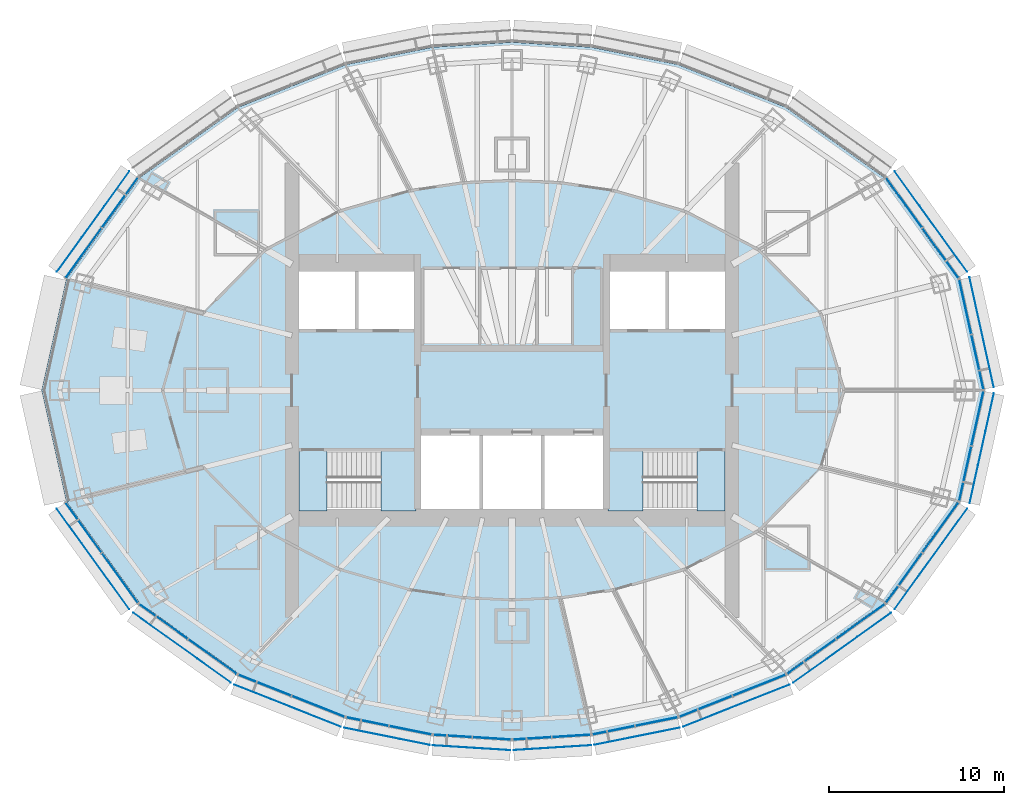
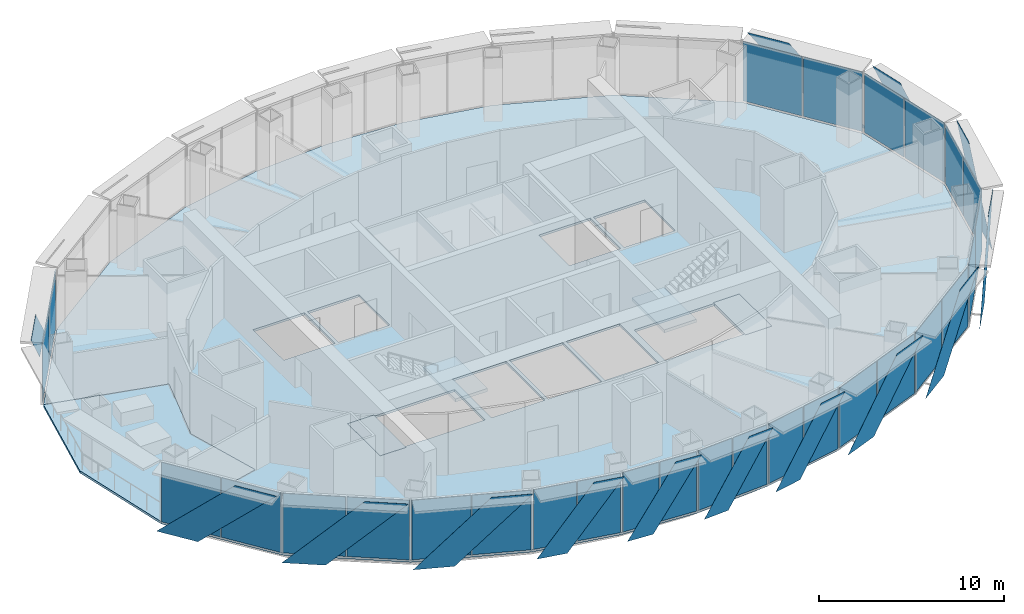
# One storey, part 10 of 16: 42 plates, 6 slabs, 16 elements without a shape of their own.
"""IFC4 building model written with IfcOpenShell, lengths in metres."""

from ifc_helpers import new_model, si_unit, direction, frame, origin, origin_2d, place, context, subcontext, project, spatial, polyline, rectangle, outline, extrude, material, layer, layer_set, type_object, element, aggregate, save


model = new_model("IFC4")

# Units and contexts
model_context = context("Model", 3, precision=1e-05, world=origin(), true_north=direction((0.0, 1.0)))
body_context = subcontext(model_context, "Body", "Model", "MODEL_VIEW")
ifc_project = project(units=[si_unit("LENGTHUNIT", "METRE"), si_unit("AREAUNIT", "SQUARE_METRE"), si_unit("VOLUMEUNIT", "CUBIC_METRE"), si_unit("PLANEANGLEUNIT", "RADIAN"), si_unit("MASSUNIT", "GRAM", prefix="KILO")], contexts=[model_context])

# Site, building, storey
site_placement = place(None, origin())
site = spatial("IfcSite", under=ifc_project, at=site_placement, CompositionType="ELEMENT")
building_placement = place(site_placement, origin())
building = spatial("IfcBuilding", under=site, at=building_placement, Name="Lantaw Convention Tower", CompositionType="ELEMENT")
storey_placement = place(building_placement, frame((0.0, 0.0, 232.60009765625)))
storey = spatial("IfcBuildingStorey", under=building, at=storey_placement, Name="L54", CompositionType="ELEMENT", Elevation=232.60009765625)

# Curtain wall, plates
ifc_material_1 = material(Name="Aluminium framed curtain wall", Category="aluminium")
curtain_wall_type = type_object("IfcCurtainWallType", Name="Office curtain wall high rise, pale aluminium", PredefinedType="USERDEFINED", material=ifc_material_1)
curtain_wall_1_placement = place(storey_placement, origin())
curtain_wall_1 = element("IfcCurtainWall", 1, at=curtain_wall_1_placement, inside=storey, type_object=curtain_wall_type, Name="Office curtain wall high rise, pale aluminium L54", ObjectType="UNITISED CURTAIN WALL", PredefinedType="USERDEFINED")
ifc_material_2 = material(Name="Clear insulating glass", Category="glass")
ifc_layer_1 = layer(ifc_material_2, 0.028076171875)
ifc_layer_set_1 = layer_set([ifc_layer_1], Name="CW-O2 panel 28")
plate_type_1 = type_object("IfcPlateType", Name="CW-O2 panel 28", PredefinedType="CURTAIN_PANEL", material=ifc_layer_set_1)
plate_1_placement = place(storey_placement, frame((26.643798828125, 1.61083984375, 0.06494140625), z_axis=(0.0, 0.0, 1.0), x_axis=(-0.215891333626, 0.976417396437, 0.0)))
plate_1 = element("IfcPlate", 2, at=plate_1_placement, type_object=plate_type_1, Name="CW-O2 panel 1.1", PredefinedType="CURTAIN_PANEL", context=body_context, shape_type="SweptSolid", body=[
    extrude(rectangle(XDim=3.169677734375, YDim=0.028076171875, at=origin_2d()), origin(), (0.0, 0.0, 1.0), 3.919921875),
])
plate_2_placement = place(storey_placement, frame((25.945556640625, 4.769287109375, 0.06494140625), z_axis=(0.0, 0.0, 1.0), x_axis=(-0.215891333626, 0.976417396437, 0.0)))
plate_2 = element("IfcPlate", 3, at=plate_2_placement, type_object=plate_type_1, Name="CW-O2 panel 2.1", PredefinedType="CURTAIN_PANEL", context=body_context, shape_type="SweptSolid", body=[
    extrude(rectangle(XDim=3.169677734375, YDim=0.028076171875, at=origin_2d()), origin(), (0.0, 0.0, 1.0), 3.919921875),
])
aggregate(curtain_wall_1, [plate_1, plate_2])

curtain_wall_2_placement = place(storey_placement, origin())
curtain_wall_2 = element("IfcCurtainWall", 4, at=curtain_wall_2_placement, inside=storey, type_object=curtain_wall_type, Name="Office curtain wall high rise, pale aluminium L54", ObjectType="UNITISED CURTAIN WALL", PredefinedType="USERDEFINED")
plate_3_placement = place(storey_placement, frame((24.527099609375, 7.852294921875, 0.06494140625), z_axis=(0.0, 0.0, 1.0), x_axis=(-0.585157643865, 0.810919559405, 0.0)))
plate_3 = element("IfcPlate", 5, at=plate_3_placement, type_object=plate_type_1, Name="CW-O2 panel 1.1", PredefinedType="CURTAIN_PANEL", context=body_context, shape_type="SweptSolid", body=[
    extrude(rectangle(XDim=3.500732421875, YDim=0.028076171875, at=origin_2d()), origin(), (0.0, 0.0, 1.0), 3.919921875),
])
plate_4_placement = place(storey_placement, frame((22.4404296875, 10.743896484375, 0.06494140625), z_axis=(0.0, 0.0, 1.0), x_axis=(-0.585157643865, 0.810919559405, 0.0)))
plate_4 = element("IfcPlate", 6, at=plate_4_placement, type_object=plate_type_1, Name="CW-O2 panel 2.1", PredefinedType="CURTAIN_PANEL", context=body_context, shape_type="SweptSolid", body=[
    extrude(rectangle(XDim=3.500732421875, YDim=0.028076171875, at=origin_2d()), origin(), (0.0, 0.0, 1.0), 3.919921875),
])
aggregate(curtain_wall_2, [plate_3, plate_4])

curtain_wall_3_placement = place(storey_placement, origin())
curtain_wall_3 = element("IfcCurtainWall", 7, at=curtain_wall_3_placement, inside=storey, type_object=curtain_wall_type, Name="Office curtain wall high rise, pale aluminium L54", ObjectType="UNITISED CURTAIN WALL", PredefinedType="USERDEFINED")
plate_5_placement = place(storey_placement, frame((-22.4404296875, 10.743896484375, 0.06494140625), z_axis=(0.0, 0.0, 1.0), x_axis=(-0.585157643865, -0.810919559405, 0.0)))
plate_5 = element("IfcPlate", 8, at=plate_5_placement, type_object=plate_type_1, Name="CW-O2 panel 1.1", PredefinedType="CURTAIN_PANEL", context=body_context, shape_type="SweptSolid", body=[
    extrude(rectangle(XDim=3.500732421875, YDim=0.028076171875, at=origin_2d()), origin(), (0.0, 0.0, 1.0), 3.919921875),
])
plate_6_placement = place(storey_placement, frame((-24.527099609375, 7.852294921875, 0.06494140625), z_axis=(0.0, 0.0, 1.0), x_axis=(-0.585157643865, -0.810919559405, 0.0)))
plate_6 = element("IfcPlate", 9, at=plate_6_placement, type_object=plate_type_1, Name="CW-O2 panel 2.1", PredefinedType="CURTAIN_PANEL", context=body_context, shape_type="SweptSolid", body=[
    extrude(rectangle(XDim=3.500732421875, YDim=0.028076171875, at=origin_2d()), origin(), (0.0, 0.0, 1.0), 3.919921875),
])
aggregate(curtain_wall_3, [plate_5, plate_6])

curtain_wall_4_placement = place(storey_placement, origin())
curtain_wall_4 = element("IfcCurtainWall", 10, at=curtain_wall_4_placement, inside=storey, type_object=curtain_wall_type, Name="Office curtain wall high rise, pale aluminium L54", ObjectType="UNITISED CURTAIN WALL", PredefinedType="USERDEFINED")
plate_7_placement = place(storey_placement, frame((-24.527099609375, -7.852294921875, 0.06494140625), z_axis=(0.0, 0.0, 1.0), x_axis=(0.585157643865, -0.810919559405, 0.0)))
plate_7 = element("IfcPlate", 11, at=plate_7_placement, type_object=plate_type_1, Name="CW-O2 panel 1.1", PredefinedType="CURTAIN_PANEL", context=body_context, shape_type="SweptSolid", body=[
    extrude(rectangle(XDim=3.500732421875, YDim=0.028076171875, at=origin_2d()), origin(), (0.0, 0.0, 1.0), 3.919921875),
])
plate_8_placement = place(storey_placement, frame((-22.4404296875, -10.743896484375, 0.06494140625), z_axis=(0.0, 0.0, 1.0), x_axis=(0.585157643865, -0.810919559405, 0.0)))
plate_8 = element("IfcPlate", 12, at=plate_8_placement, type_object=plate_type_1, Name="CW-O2 panel 2.1", PredefinedType="CURTAIN_PANEL", context=body_context, shape_type="SweptSolid", body=[
    extrude(rectangle(XDim=3.500732421875, YDim=0.028076171875, at=origin_2d()), origin(), (0.0, 0.0, 1.0), 3.919921875),
])
aggregate(curtain_wall_4, [plate_7, plate_8])

curtain_wall_5_placement = place(storey_placement, origin())
curtain_wall_5 = element("IfcCurtainWall", 13, at=curtain_wall_5_placement, inside=storey, type_object=curtain_wall_type, Name="Office curtain wall high rise, pale aluminium L54", ObjectType="UNITISED CURTAIN WALL", PredefinedType="USERDEFINED")
plate_9_placement = place(storey_placement, frame((-19.947509765625, -13.23828125, 0.06494140625), z_axis=(0.0, 0.0, 1.0), x_axis=(0.813672540482, -0.581323487281, 0.0)))
plate_9 = element("IfcPlate", 14, at=plate_9_placement, type_object=plate_type_1, Name="CW-O2 panel 1.1", PredefinedType="CURTAIN_PANEL", context=body_context, shape_type="SweptSolid", body=[
    extrude(rectangle(XDim=3.386474609375, YDim=0.028076171875, at=origin_2d()), origin(), (0.0, 0.0, 1.0), 3.919921875),
])
plate_10_placement = place(storey_placement, frame((-17.13916015625, -15.24462890625, 0.06494140625), z_axis=(0.0, 0.0, 1.0), x_axis=(0.813672540482, -0.581323487281, 0.0)))
plate_10 = element("IfcPlate", 15, at=plate_10_placement, type_object=plate_type_1, Name="CW-O2 panel 2.1", PredefinedType="CURTAIN_PANEL", context=body_context, shape_type="SweptSolid", body=[
    extrude(rectangle(XDim=3.386474609375, YDim=0.028076171875, at=origin_2d()), origin(), (0.0, 0.0, 1.0), 3.919921875),
])
aggregate(curtain_wall_5, [plate_9, plate_10])

curtain_wall_6_placement = place(storey_placement, origin())
curtain_wall_6 = element("IfcCurtainWall", 16, at=curtain_wall_6_placement, inside=storey, type_object=curtain_wall_type, Name="Office curtain wall high rise, pale aluminium L54", ObjectType="UNITISED CURTAIN WALL", PredefinedType="USERDEFINED")
plate_11_placement = place(storey_placement, frame((-14.14990234375, -16.8837890625, 0.06494140625), z_axis=(0.0, 0.0, 1.0), x_axis=(0.929761533743, -0.368162315252, 0.0)))
plate_11 = element("IfcPlate", 17, at=plate_11_placement, type_object=plate_type_1, Name="CW-O2 panel 1.1", PredefinedType="CURTAIN_PANEL", context=body_context, shape_type="SweptSolid", body=[
    extrude(rectangle(XDim=3.222900390625, YDim=0.028076171875, at=origin_2d()), origin(), (0.0, 0.0, 1.0), 3.919921875),
])
plate_12_placement = place(storey_placement, frame((-11.0927734375, -18.094482421875, 0.06494140625), z_axis=(0.0, 0.0, 1.0), x_axis=(0.929761533743, -0.368162315252, 0.0)))
plate_12 = element("IfcPlate", 18, at=plate_12_placement, type_object=plate_type_1, Name="CW-O2 panel 2.1", PredefinedType="CURTAIN_PANEL", context=body_context, shape_type="SweptSolid", body=[
    extrude(rectangle(XDim=3.222900390625, YDim=0.028076171875, at=origin_2d()), origin(), (0.0, 0.0, 1.0), 3.919921875),
])
aggregate(curtain_wall_6, [plate_11, plate_12])

curtain_wall_7_placement = place(storey_placement, origin())
curtain_wall_7 = element("IfcCurtainWall", 19, at=curtain_wall_7_placement, inside=storey, type_object=curtain_wall_type, Name="Office curtain wall high rise, pale aluminium L54", ObjectType="UNITISED CURTAIN WALL", PredefinedType="USERDEFINED")
plate_13_placement = place(storey_placement, frame((-8.2724609375, -18.96533203125, 0.06494140625), z_axis=(0.0, 0.0, 1.0), x_axis=(0.980366679695, -0.197183095987, 0.0)))
plate_13 = element("IfcPlate", 20, at=plate_13_placement, type_object=plate_type_1, Name="CW-O2 panel 1.1", PredefinedType="CURTAIN_PANEL", context=body_context, shape_type="SweptSolid", body=[
    extrude(rectangle(XDim=2.44384765625, YDim=0.028076171875, at=origin_2d()), origin(), (0.0, 0.0, 1.0), 3.919921875),
])
plate_14_placement = place(storey_placement, frame((-5.81298828125, -19.4599609375, 0.06494140625), z_axis=(0.0, 0.0, 1.0), x_axis=(0.980366679695, -0.197183095987, 0.0)))
plate_14 = element("IfcPlate", 21, at=plate_14_placement, type_object=plate_type_1, Name="CW-O2 panel 2.1", PredefinedType="CURTAIN_PANEL", context=body_context, shape_type="SweptSolid", body=[
    extrude(rectangle(XDim=2.44384765625, YDim=0.028076171875, at=origin_2d()), origin(), (0.0, 0.0, 1.0), 3.919921875),
])
aggregate(curtain_wall_7, [plate_13, plate_14])

curtain_wall_8_placement = place(storey_placement, origin())
curtain_wall_8 = element("IfcCurtainWall", 22, at=curtain_wall_8_placement, inside=storey, type_object=curtain_wall_type, Name="Office curtain wall high rise, pale aluminium L54", ObjectType="UNITISED CURTAIN WALL", PredefinedType="USERDEFINED")
plate_15_placement = place(storey_placement, frame((-3.397216796875, -19.786376953125, 0.06494140625), z_axis=(0.0, 0.0, 1.0), x_axis=(0.998028774865, -0.062757983884, 0.0)))
plate_15 = element("IfcPlate", 23, at=plate_15_placement, type_object=plate_type_1, Name="CW-O2 panel 1.1", PredefinedType="CURTAIN_PANEL", context=body_context, shape_type="SweptSolid", body=[
    extrude(rectangle(XDim=2.1826171875, YDim=0.028076171875, at=origin_2d()), origin(), (0.0, 0.0, 1.0), 3.919921875),
])
plate_16_placement = place(storey_placement, frame((-1.154052734375, -19.927490234375, 0.06494140625), z_axis=(0.0, 0.0, 1.0), x_axis=(0.998028774865, -0.062757983884, 0.0)))
plate_16 = element("IfcPlate", 24, at=plate_16_placement, type_object=plate_type_1, Name="CW-O2 panel 2.1", PredefinedType="CURTAIN_PANEL", context=body_context, shape_type="SweptSolid", body=[
    extrude(rectangle(XDim=2.1826171875, YDim=0.028076171875, at=origin_2d()), origin(), (0.0, 0.0, 1.0), 3.919921875),
])
aggregate(curtain_wall_8, [plate_15, plate_16])

curtain_wall_9_placement = place(storey_placement, origin())
curtain_wall_9 = element("IfcCurtainWall", 25, at=curtain_wall_9_placement, inside=storey, type_object=curtain_wall_type, Name="Office curtain wall high rise, pale aluminium L54", ObjectType="UNITISED CURTAIN WALL", PredefinedType="USERDEFINED")
plate_17_placement = place(storey_placement, frame((1.154052734375, -19.927490234375, 0.06494140625), z_axis=(0.0, 0.0, 1.0), x_axis=(0.998028774865, 0.062757983884, 0.0)))
plate_17 = element("IfcPlate", 26, at=plate_17_placement, type_object=plate_type_1, Name="CW-O2 panel 1.1", PredefinedType="CURTAIN_PANEL", context=body_context, shape_type="SweptSolid", body=[
    extrude(rectangle(XDim=2.1826171875, YDim=0.028076171875, at=origin_2d()), origin(), (0.0, 0.0, 1.0), 3.919921875),
])
plate_18_placement = place(storey_placement, frame((3.397216796875, -19.786376953125, 0.06494140625), z_axis=(0.0, 0.0, 1.0), x_axis=(0.998028774865, 0.062757983884, 0.0)))
plate_18 = element("IfcPlate", 27, at=plate_18_placement, type_object=plate_type_1, Name="CW-O2 panel 2.1", PredefinedType="CURTAIN_PANEL", context=body_context, shape_type="SweptSolid", body=[
    extrude(rectangle(XDim=2.1826171875, YDim=0.028076171875, at=origin_2d()), origin(), (0.0, 0.0, 1.0), 3.919921875),
])
aggregate(curtain_wall_9, [plate_17, plate_18])

curtain_wall_10_placement = place(storey_placement, origin())
curtain_wall_10 = element("IfcCurtainWall", 28, at=curtain_wall_10_placement, inside=storey, type_object=curtain_wall_type, Name="Office curtain wall high rise, pale aluminium L54", ObjectType="UNITISED CURTAIN WALL", PredefinedType="USERDEFINED")
plate_19_placement = place(storey_placement, frame((5.81298828125, -19.4599609375, 0.06494140625), z_axis=(0.0, 0.0, 1.0), x_axis=(0.980366679695, 0.197183095987, 0.0)))
plate_19 = element("IfcPlate", 29, at=plate_19_placement, type_object=plate_type_1, Name="CW-O2 panel 1.1", PredefinedType="CURTAIN_PANEL", context=body_context, shape_type="SweptSolid", body=[
    extrude(rectangle(XDim=2.44384765625, YDim=0.028076171875, at=origin_2d()), origin(), (0.0, 0.0, 1.0), 3.919921875),
])
plate_20_placement = place(storey_placement, frame((8.2724609375, -18.96533203125, 0.06494140625), z_axis=(0.0, 0.0, 1.0), x_axis=(0.980366679695, 0.197183095987, 0.0)))
plate_20 = element("IfcPlate", 30, at=plate_20_placement, type_object=plate_type_1, Name="CW-O2 panel 2.1", PredefinedType="CURTAIN_PANEL", context=body_context, shape_type="SweptSolid", body=[
    extrude(rectangle(XDim=2.44384765625, YDim=0.028076171875, at=origin_2d()), origin(), (0.0, 0.0, 1.0), 3.919921875),
])
aggregate(curtain_wall_10, [plate_19, plate_20])

curtain_wall_11_placement = place(storey_placement, origin())
curtain_wall_11 = element("IfcCurtainWall", 31, at=curtain_wall_11_placement, inside=storey, type_object=curtain_wall_type, Name="Office curtain wall high rise, pale aluminium L54", ObjectType="UNITISED CURTAIN WALL", PredefinedType="USERDEFINED")
plate_21_placement = place(storey_placement, frame((11.0927734375, -18.094482421875, 0.06494140625), z_axis=(0.0, 0.0, 1.0), x_axis=(0.929761533743, 0.368162315252, 0.0)))
plate_21 = element("IfcPlate", 32, at=plate_21_placement, type_object=plate_type_1, Name="CW-O2 panel 1.1", PredefinedType="CURTAIN_PANEL", context=body_context, shape_type="SweptSolid", body=[
    extrude(rectangle(XDim=3.222900390625, YDim=0.028076171875, at=origin_2d()), origin(), (0.0, 0.0, 1.0), 3.919921875),
])
plate_22_placement = place(storey_placement, frame((14.14990234375, -16.8837890625, 0.06494140625), z_axis=(0.0, 0.0, 1.0), x_axis=(0.929761533743, 0.368162315252, 0.0)))
plate_22 = element("IfcPlate", 33, at=plate_22_placement, type_object=plate_type_1, Name="CW-O2 panel 2.1", PredefinedType="CURTAIN_PANEL", context=body_context, shape_type="SweptSolid", body=[
    extrude(rectangle(XDim=3.222900390625, YDim=0.028076171875, at=origin_2d()), origin(), (0.0, 0.0, 1.0), 3.919921875),
])
aggregate(curtain_wall_11, [plate_21, plate_22])

curtain_wall_12_placement = place(storey_placement, origin())
curtain_wall_12 = element("IfcCurtainWall", 34, at=curtain_wall_12_placement, inside=storey, type_object=curtain_wall_type, Name="Office curtain wall high rise, pale aluminium L54", ObjectType="UNITISED CURTAIN WALL", PredefinedType="USERDEFINED")
plate_23_placement = place(storey_placement, frame((17.13916015625, -15.24462890625, 0.06494140625), z_axis=(0.0, 0.0, 1.0), x_axis=(0.813672540482, 0.581323487281, 0.0)))
plate_23 = element("IfcPlate", 35, at=plate_23_placement, type_object=plate_type_1, Name="CW-O2 panel 1.1", PredefinedType="CURTAIN_PANEL", context=body_context, shape_type="SweptSolid", body=[
    extrude(rectangle(XDim=3.386474609375, YDim=0.028076171875, at=origin_2d()), origin(), (0.0, 0.0, 1.0), 3.919921875),
])
plate_24_placement = place(storey_placement, frame((19.947509765625, -13.23828125, 0.06494140625), z_axis=(0.0, 0.0, 1.0), x_axis=(0.813672540482, 0.581323487281, 0.0)))
plate_24 = element("IfcPlate", 36, at=plate_24_placement, type_object=plate_type_1, Name="CW-O2 panel 2.1", PredefinedType="CURTAIN_PANEL", context=body_context, shape_type="SweptSolid", body=[
    extrude(rectangle(XDim=3.386474609375, YDim=0.028076171875, at=origin_2d()), origin(), (0.0, 0.0, 1.0), 3.919921875),
])
aggregate(curtain_wall_12, [plate_23, plate_24])

curtain_wall_13_placement = place(storey_placement, origin())
curtain_wall_13 = element("IfcCurtainWall", 37, at=curtain_wall_13_placement, inside=storey, type_object=curtain_wall_type, Name="Office curtain wall high rise, pale aluminium L54", ObjectType="UNITISED CURTAIN WALL", PredefinedType="USERDEFINED")
plate_25_placement = place(storey_placement, frame((22.4404296875, -10.743896484375, 0.06494140625), z_axis=(0.0, 0.0, 1.0), x_axis=(0.585157643865, 0.810919559405, 0.0)))
plate_25 = element("IfcPlate", 38, at=plate_25_placement, type_object=plate_type_1, Name="CW-O2 panel 1.1", PredefinedType="CURTAIN_PANEL", context=body_context, shape_type="SweptSolid", body=[
    extrude(rectangle(XDim=3.500732421875, YDim=0.028076171875, at=origin_2d()), origin(), (0.0, 0.0, 1.0), 3.919921875),
])
plate_26_placement = place(storey_placement, frame((24.527099609375, -7.852294921875, 0.06494140625), z_axis=(0.0, 0.0, 1.0), x_axis=(0.585157643865, 0.810919559405, 0.0)))
plate_26 = element("IfcPlate", 39, at=plate_26_placement, type_object=plate_type_1, Name="CW-O2 panel 2.1", PredefinedType="CURTAIN_PANEL", context=body_context, shape_type="SweptSolid", body=[
    extrude(rectangle(XDim=3.500732421875, YDim=0.028076171875, at=origin_2d()), origin(), (0.0, 0.0, 1.0), 3.919921875),
])
aggregate(curtain_wall_13, [plate_25, plate_26])

curtain_wall_14_placement = place(storey_placement, origin())
curtain_wall_14 = element("IfcCurtainWall", 40, at=curtain_wall_14_placement, inside=storey, type_object=curtain_wall_type, Name="Office curtain wall high rise, pale aluminium L54", ObjectType="UNITISED CURTAIN WALL", PredefinedType="USERDEFINED")
plate_27_placement = place(storey_placement, frame((25.945556640625, -4.769287109375, 0.06494140625), z_axis=(0.0, 0.0, 1.0), x_axis=(0.215891333626, 0.976417396437, 0.0)))
plate_27 = element("IfcPlate", 41, at=plate_27_placement, type_object=plate_type_1, Name="CW-O2 panel 1.1", PredefinedType="CURTAIN_PANEL", context=body_context, shape_type="SweptSolid", body=[
    extrude(rectangle(XDim=3.169677734375, YDim=0.028076171875, at=origin_2d()), origin(), (0.0, 0.0, 1.0), 3.919921875),
])
plate_28_placement = place(storey_placement, frame((26.643798828125, -1.61083984375, 0.06494140625), z_axis=(0.0, 0.0, 1.0), x_axis=(0.215891333626, 0.976417396437, 0.0)))
plate_28 = element("IfcPlate", 42, at=plate_28_placement, type_object=plate_type_1, Name="CW-O2 panel 2.1", PredefinedType="CURTAIN_PANEL", context=body_context, shape_type="SweptSolid", body=[
    extrude(rectangle(XDim=3.169677734375, YDim=0.028076171875, at=origin_2d()), origin(), (0.0, 0.0, 1.0), 3.919921875),
])
aggregate(curtain_wall_14, [plate_27, plate_28])

# Slab
ifc_material_3 = material(Name="Concrete C35/45", Category="concrete")
ifc_layer_2 = layer(ifc_material_3, 0.14990234375)
ifc_layer_set_2 = layer_set([ifc_layer_2], Name="Floor slab 150")
slab_type_1 = type_object("IfcSlabType", Name="Floor slab 150", PredefinedType="FLOOR", material=ifc_layer_set_2)
slab_1_placement = place(storey_placement, frame((0.0, 0.0, -0.150146484375)))
element("IfcSlab", 43, at=slab_1_placement, inside=storey, type_object=slab_type_1, Name="L54 floor slab", PredefinedType="FLOOR", context=body_context, shape_type="SweptSolid", body=[
    extrude(outline(polyline([(-15.67236328125, 16.2001953125), (-21.324462890625, 12.162109375), (-25.51953125, 6.348876953125), (-25.510986328125, 6.360595703125), (-18.67333984375, 4.65576171875), (-20.0, 0.0), (-18.67333984375, -4.65576171875), (-25.510986328125, -6.360595703125), (-25.51953125, -6.348876953125), (-21.324462890625, -12.162109375), (-15.67236328125, -16.2001953125), (-9.5126953125, -18.639404296875), (-4.54150390625, -19.63916015625), (0.0, -19.9248046875), (4.54150390625, -19.63916015625), (9.5126953125, -18.639404296875), (15.67236328125, -16.2001953125), (21.324462890625, -12.162109375), (25.51953125, -6.348876953125), (26.923095703125, 0.0), (25.51953125, 6.348876953125), (21.324462890625, 12.162109375), (15.67236328125, 16.2001953125), (9.5126953125, 18.639404296875), (4.54150390625, 19.63916015625), (0.0, 19.9248046875), (-4.54150390625, 19.63916015625), (-9.5126953125, 18.639404296875), (-15.67236328125, 16.2001953125)]), holes=[polyline([(-5.60009765625, -3.5), (-12.199951171875, -3.5), (-12.199951171875, -6.800048828125), (-5.60009765625, -6.800048828125), (-5.60009765625, -3.5)]), polyline([(12.199951171875, -3.5), (5.60009765625, -3.5), (5.60009765625, -6.800048828125), (12.199951171875, -6.800048828125), (12.199951171875, -3.5)]), polyline([(-1.86669921875, -2.60009765625), (-5.199951171875, -2.60009765625), (-5.199951171875, -6.800048828125), (-1.86669921875, -6.800048828125), (-1.86669921875, -2.60009765625)]), polyline([(1.666748046875, -2.60009765625), (-1.666748046875, -2.60009765625), (-1.666748046875, -6.800048828125), (1.666748046875, -6.800048828125), (1.666748046875, -2.60009765625)]), polyline([(5.199951171875, -2.60009765625), (1.86669921875, -2.60009765625), (1.86669921875, -6.800048828125), (5.199951171875, -6.800048828125), (5.199951171875, -2.60009765625)]), polyline([(-9.0, 6.800048828125), (-12.199951171875, 6.800048828125), (-12.199951171875, 3.5), (-9.0, 3.5), (-9.0, 6.800048828125)]), polyline([(-5.60009765625, 6.800048828125), (-8.800048828125, 6.800048828125), (-8.800048828125, 3.5), (-5.60009765625, 3.5), (-5.60009765625, 6.800048828125)]), polyline([(8.800048828125, 3.5), (8.800048828125, 6.800048828125), (5.60009765625, 6.800048828125), (5.60009765625, 3.5), (8.800048828125, 3.5)]), polyline([(12.199951171875, 3.5), (12.199951171875, 6.800048828125), (9.0, 6.800048828125), (9.0, 3.5), (12.199951171875, 3.5)])]), origin(), (0.0, 0.0, 1.0), 0.150146484375),
])

# Plates
ifc_material_4 = material(Name="Perforated aluminium sheet, pale silver finish", Category="aluminium")
ifc_layer_3 = layer(ifc_material_4, 0.006103515625)
ifc_layer_set_3 = layer_set([ifc_layer_3], Name="Perforated aluminium solar SCREEN panel")
plate_type_2 = type_object("IfcPlateType", Name="Perforated aluminium solar SCREEN panel", PredefinedType="SHEET", material=ifc_layer_set_3)
plate_29_placement = place(storey_placement, frame((27.580810546875, 0.1796875, -0.175048828125), z_axis=(0.976429511424, 0.215836529031, 4.4221925e-05), x_axis=(-0.215836529242, 0.976429512379, 0.0)))
element("IfcPlate", 44, at=plate_29_placement, inside=storey, type_object=plate_type_2, Name="Solar SCREEN panel", PredefinedType="SHEET", context=body_context, shape_type="SweptSolid", body=[
    extrude(outline(polyline([(0.0, 0.0), (2.2215525295212517, 3.3881317890172014e-21), (6.4341686174090675, 4.339843754243453), (4.212616087887817, 4.339843754243453), (0.0, 0.0)])), origin(), (0.0, 0.0, -1.0), 0.006103515625),
])
plate_30_placement = place(storey_placement, frame((26.051513671875, 6.775390625, -0.175048828125), z_axis=(-0.810892289695, -0.585195432394, 2.0459565e-05), x_axis=(-0.585195432516, 0.810892289865, 0.0)))
element("IfcPlate", 45, at=plate_30_placement, inside=storey, type_object=plate_type_2, Name="Solar SCREEN panel", PredefinedType="SHEET", context=body_context, shape_type="SweptSolid", body=[
    extrude(outline(polyline([(0.0, 0.0), (2.4468488406832853, 0.0), (7.096610466675719, -4.339843750908316), (4.649761625992434, -4.339843750908316), (0.0, 0.0)])), origin(), (0.0, 0.0, -1.0), 0.006103515625),
])
plate_31_placement = place(storey_placement, frame((-21.898681640625, 12.530029296875, -0.175048828125), z_axis=(-0.810892289695, 0.585195432394, 2.0459565e-05), x_axis=(-0.585195432516, -0.810892289865, 0.0)))
element("IfcPlate", 46, at=plate_31_placement, inside=storey, type_object=plate_type_2, Name="Solar SCREEN panel", PredefinedType="SHEET", context=body_context, shape_type="SweptSolid", body=[
    extrude(outline(polyline([(0.0, 0.0), (2.4468488406832853, 0.0), (7.096610466675719, 4.339843750908316), (4.649761625992434, 4.339843750908316), (0.0, 0.0)])), origin(), (0.0, 0.0, -1.0), 0.006103515625),
])
plate_32_placement = place(storey_placement, frame((-26.051513671875, -6.775390625, -0.175048828125), z_axis=(0.810892289695, 0.585195432394, 2.0459565e-05), x_axis=(0.585195432516, -0.810892289865, 0.0)))
element("IfcPlate", 47, at=plate_32_placement, inside=storey, type_object=plate_type_2, Name="Solar SCREEN panel", PredefinedType="SHEET", context=body_context, shape_type="SweptSolid", body=[
    extrude(outline(polyline([(0.0, 0.0), (2.4468488406832853, 0.0), (7.096610466675719, -4.339843750908316), (4.649761625992434, -4.339843750908316), (0.0, 0.0)])), origin(), (0.0, 0.0, -1.0), 0.006103515625),
])
plate_33_placement = place(storey_placement, frame((-21.689697265625, -12.73828125, -0.175048828125), z_axis=(-0.581330799771, -0.813667316006, 1.0072981e-05), x_axis=(0.813667316047, -0.5813307998, 3.02e-10)))
element("IfcPlate", 48, at=plate_33_placement, inside=storey, type_object=plate_type_2, Name="Solar SCREEN panel", PredefinedType="SHEET", context=body_context, shape_type="SweptSolid", body=[
    extrude(outline(polyline([(0.0, 0.0), (2.36914164286685, -1.6940658945086007e-21), (6.867806096558412, 4.339843748148034), (4.498863102938643, 4.3398437495775966), (0.0, 0.0)])), origin(), (0.0, 0.0, -1.0), 0.006103515625),
])
plate_34_placement = place(storey_placement, frame((-15.88525390625, -16.8486328125, -0.175048828125), z_axis=(0.368116612072, 0.929779629081, 3.5535267e-05), x_axis=(0.929779629668, -0.368116612304, -1.786e-09)))
element("IfcPlate", 49, at=plate_34_placement, inside=storey, type_object=plate_type_2, Name="Solar SCREEN panel", PredefinedType="SHEET", context=body_context, shape_type="SweptSolid", body=[
    extrude(outline(polyline([(0.0, 0.0), (2.2578720663572183, -6.776263578034403e-21), (6.540904465438181, -4.339843764423989), (4.282942526861161, -4.33984375635743), (0.0, 0.0)])), origin(), (0.0, 0.0, -1.0), 0.006103515625),
])
plate_35_placement = place(storey_placement, frame((-9.6044921875, -19.315673828125, -0.175048828125), z_axis=(0.197162069853, 0.980370908428, 1.0904697e-05), x_axis=(0.980370908486, -0.197162069865, -7.55e-10)))
element("IfcPlate", 50, at=plate_35_placement, inside=storey, type_object=plate_type_2, Name="Solar SCREEN panel", PredefinedType="SHEET", context=body_context, shape_type="SweptSolid", body=[
    extrude(outline(polyline([(0.0, 0.0), (1.7279870169553606, 0.0), (4.982578440602753, -4.339843754020975), (3.2545432883764285, -4.339843751410917), (0.0, 0.0)])), origin(), (0.0, 0.0, -1.0), 0.006103515625),
])
plate_36_placement = place(storey_placement, frame((-4.539306640625, -20.32177734375, -0.175048828125), z_axis=(0.062672387577, 0.998034151922, 5.8589976e-05), x_axis=(0.998034153635, -0.062672387685, 0.0)))
element("IfcPlate", 51, at=plate_36_placement, inside=storey, type_object=plate_type_2, Name="Solar SCREEN panel", PredefinedType="SHEET", context=body_context, shape_type="SweptSolid", body=[
    extrude(outline(polyline([(0.0, 0.0), (1.5504111513762302, 8.470329472543003e-22), (4.460200019412434, -4.339843757448876), (2.9097888680362036, -4.339843757448876), (0.0, 0.0)])), origin(), (0.0, 0.0, -1.0), 0.006103515625),
])
plate_37_placement = place(storey_placement, frame((0.087890625, -20.6015625, -0.175048828125), z_axis=(0.062672387577, -0.998034151922, 5.8589976e-05), x_axis=(0.998034153635, 0.062672387685, 0.0)))
element("IfcPlate", 52, at=plate_37_placement, inside=storey, type_object=plate_type_2, Name="Solar SCREEN panel", PredefinedType="SHEET", context=body_context, shape_type="SweptSolid", body=[
    extrude(outline(polyline([(0.0, 0.0), (1.5504111513762302, -8.470329472543003e-22), (4.460200019412434, 4.339843757448876), (2.9097888680362036, 4.339843757448876), (0.0, 0.0)])), origin(), (0.0, 0.0, -1.0), 0.006103515625),
])
plate_38_placement = place(storey_placement, frame((4.7197265625, -20.298095703125, -0.175048828125), z_axis=(0.197162069853, -0.980370908428, 1.0904697e-05), x_axis=(0.980370908486, 0.197162069865, 7.55e-10)))
element("IfcPlate", 53, at=plate_38_placement, inside=storey, type_object=plate_type_2, Name="Solar SCREEN panel", PredefinedType="SHEET", context=body_context, shape_type="SweptSolid", body=[
    extrude(outline(polyline([(0.0, 0.0), (1.7280351522263238, 0.0), (4.982578447157737, 4.339843746495192), (3.2545914302023755, 4.339843749105177), (0.0, 0.0)])), origin(), (0.0, 0.0, -1.0), 0.006103515625),
])
plate_39_placement = place(storey_placement, frame((9.8037109375, -19.256591796875, -0.175048828125), z_axis=(0.368116612072, -0.929779629081, 3.5535267e-05), x_axis=(0.929779629668, 0.368116612304, 1.786e-09)))
element("IfcPlate", 54, at=plate_39_placement, inside=storey, type_object=plate_type_2, Name="Solar SCREEN panel", PredefinedType="SHEET", context=body_context, shape_type="SweptSolid", body=[
    extrude(outline(polyline([(0.0, 0.0), (2.257961938577019, 6.776263578034403e-21), (6.540904480942253, 4.339843741056637), (4.283032414585034, 4.339843749122875), (0.0, 0.0)])), origin(), (0.0, 0.0, -1.0), 0.006103515625),
])
plate_40_placement = place(storey_placement, frame((16.1015625, -16.730712890625, -0.175048828125), z_axis=(-0.581330799771, 0.813667316006, 1.0072981e-05), x_axis=(0.813667316047, 0.5813307998, -3.02e-10)))
element("IfcPlate", 55, at=plate_40_placement, inside=storey, type_object=plate_type_2, Name="Solar SCREEN panel", PredefinedType="SHEET", context=body_context, shape_type="SweptSolid", body=[
    extrude(outline(polyline([(0.0, 0.0), (2.3689429936197683, -1.6940658945086007e-21), (6.867806093939489, -4.339843752292481), (4.498664451072639, -4.339843750862799), (0.0, 0.0)])), origin(), (0.0, 0.0, -1.0), 0.006103515625),
])
plate_41_placement = place(storey_placement, frame((21.898681640625, -12.530029296875, -0.175048828125), z_axis=(0.810892289695, -0.585195432394, 2.0459565e-05), x_axis=(0.585195432516, 0.810892289865, 0.0)))
element("IfcPlate", 56, at=plate_41_placement, inside=storey, type_object=plate_type_2, Name="Solar SCREEN panel", PredefinedType="SHEET", context=body_context, shape_type="SweptSolid", body=[
    extrude(outline(polyline([(0.0, 0.0), (2.4468488406832853, 0.0), (7.096610466675719, 4.339843750908316), (4.649761625992434, 4.339843750908316), (0.0, 0.0)])), origin(), (0.0, 0.0, -1.0), 0.006103515625),
])
plate_42_placement = place(storey_placement, frame((26.19189453125, -6.462158203125, -0.175048828125), z_axis=(-0.976429511424, 0.215836529031, 4.4221925e-05), x_axis=(0.215836529242, 0.976429512379, 0.0)))
element("IfcPlate", 57, at=plate_42_placement, inside=storey, type_object=plate_type_2, Name="Solar SCREEN panel", PredefinedType="SHEET", context=body_context, shape_type="SweptSolid", body=[
    extrude(outline(polyline([(0.0, 0.0), (2.2215525295212517, -3.3881317890172014e-21), (6.4341686174090675, -4.339843754243453), (4.212616087887817, -4.339843754243453), (0.0, 0.0)])), origin(), (0.0, 0.0, -1.0), 0.006103515625),
])

# Stair, slabs
stair_type = type_object("IfcStairType", Name="Exit stair 1500 riser 175 in 2 flights", PredefinedType="HALF_TURN_STAIR", material=ifc_material_3)
stair_1_placement = place(storey_placement, origin())
stair_1 = element("IfcStair", 58, at=stair_1_placement, inside=storey, type_object=stair_type, Name="Exit stair S1 L54", PredefinedType="HALF_TURN_STAIR")
ifc_layer_4 = layer(ifc_material_3, 0.199951171875)
ifc_layer_set_4 = layer_set([ifc_layer_4], Name="Stair landing 200")
slab_type_2 = type_object("IfcSlabType", Name="Stair landing 200", PredefinedType="LANDING", material=ifc_layer_set_4)
slab_2_placement = place(storey_placement, frame((0.0, 0.0, -0.2001953125)))
slab_2 = element("IfcSlab", 59, at=slab_2_placement, type_object=slab_type_2, Name="S1 landing 1", PredefinedType="LANDING", context=body_context, shape_type="SweptSolid", body=[
    extrude(outline(polyline([(-12.199951171875, -6.89990234375), (-10.580078125, -6.89990234375), (-10.580078125, -3.39990234375), (-12.199951171875, -3.39990234375), (-12.199951171875, -6.89990234375)])), origin(), (0.0, 0.0, 1.0), 0.2001953125),
])
slab_3_placement = place(storey_placement, frame((0.0, 0.0, 1.89990234375)))
slab_3 = element("IfcSlab", 60, at=slab_3_placement, type_object=slab_type_2, Name="S1 landing 2", PredefinedType="LANDING", context=body_context, shape_type="SweptSolid", body=[
    extrude(outline(polyline([(-7.5, -6.89990234375), (-5.5, -6.89990234375), (-5.5, -3.39990234375), (-7.5, -3.39990234375), (-7.5, -6.89990234375)])), origin(), (0.0, 0.0, 1.0), 0.199951171875),
])
aggregate(stair_1, [slab_2, slab_3])

stair_2_placement = place(storey_placement, origin())
stair_2 = element("IfcStair", 61, at=stair_2_placement, inside=storey, type_object=stair_type, Name="Exit stair S2 L54", PredefinedType="HALF_TURN_STAIR")
slab_4_placement = place(storey_placement, frame((0.0, 0.0, -0.2001953125)))
slab_4 = element("IfcSlab", 62, at=slab_4_placement, type_object=slab_type_2, Name="S2 landing 1", PredefinedType="LANDING", context=body_context, shape_type="SweptSolid", body=[
    extrude(outline(polyline([(10.580078125, -6.89990234375), (12.199951171875, -6.89990234375), (12.199951171875, -3.39990234375), (10.580078125, -3.39990234375), (10.580078125, -6.89990234375)])), origin(), (0.0, 0.0, 1.0), 0.2001953125),
])
slab_5_placement = place(storey_placement, frame((0.0, 0.0, 1.89990234375)))
slab_5 = element("IfcSlab", 63, at=slab_5_placement, type_object=slab_type_2, Name="S2 landing 2", PredefinedType="LANDING", context=body_context, shape_type="SweptSolid", body=[
    extrude(outline(polyline([(5.5, -6.89990234375), (7.5, -6.89990234375), (7.5, -3.39990234375), (5.5, -3.39990234375), (5.5, -6.89990234375)])), origin(), (0.0, 0.0, 1.0), 0.199951171875),
])
aggregate(stair_2, [slab_4, slab_5])

# Slab
ifc_layer_5 = layer(ifc_material_3, 0.14990234375)
ifc_layer_set_5 = layer_set([ifc_layer_5], Name="Terrace slab 150")
slab_type_3 = type_object("IfcSlabType", Name="Terrace slab 150", PredefinedType="ROOF", material=ifc_layer_set_5)
slab_6_placement = place(storey_placement, frame((0.0, 0.0, -0.150146484375)))
element("IfcSlab", 64, at=slab_6_placement, inside=storey, type_object=slab_type_3, Name="L54 sky garden terrace", PredefinedType="ROOF", context=body_context, shape_type="SweptSolid", body=[
    extrude(outline(polyline([(-18.67333984375, -4.65576171875), (-20.0, 0.0), (-18.67333984375, 4.65576171875), (-25.510986328125, 6.360595703125), (-25.51953125, 6.348876953125), (-26.923095703125, 0.0), (-25.51953125, -6.348876953125), (-25.510986328125, -6.360595703125), (-18.67333984375, -4.65576171875)])), origin(), (0.0, 0.0, 1.0), 0.150146484375),
])

save(model, "model.ifc")
